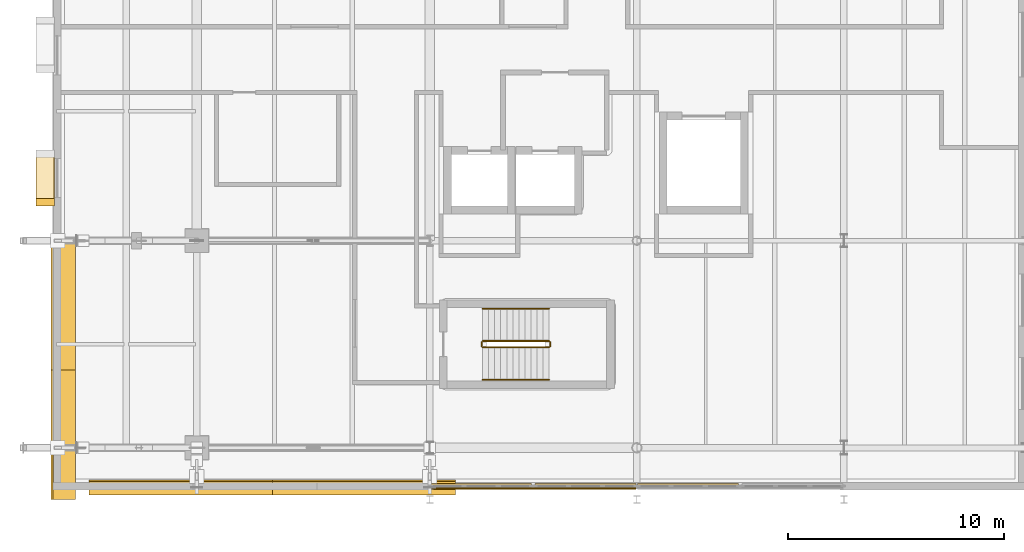
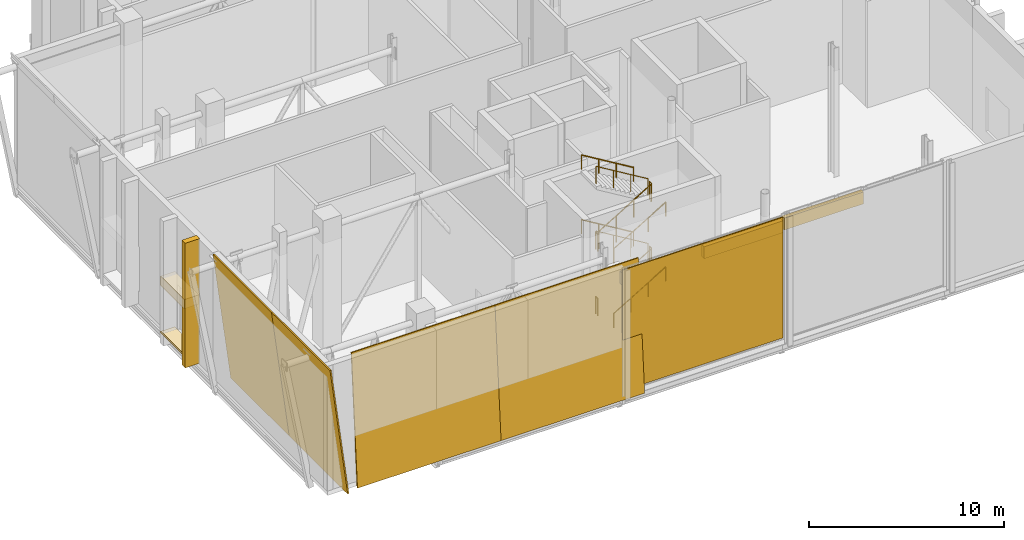
# One storey, part 64 of 79: 12 railings, 10 coverings, 1 shading device.
"""IFC4 building model written with IfcOpenShell, lengths in metres."""

from ifc_helpers import new_model, si_unit, direction, frame, origin, origin_2d, place, context, subcontext, project, spatial, polyline, rectangle, circle, outline, extrude, material, layer, layer_set, type_object, element, save


model = new_model("IFC4")

# Units and contexts
model_context = context("Model", 3, precision=1e-05, world=origin(), true_north=direction((0.0, 1.0)))
body_context = subcontext(model_context, "Body", "Model", "MODEL_VIEW")
ifc_project = project(units=[si_unit("LENGTHUNIT", "METRE"), si_unit("AREAUNIT", "SQUARE_METRE"), si_unit("VOLUMEUNIT", "CUBIC_METRE"), si_unit("PLANEANGLEUNIT", "RADIAN"), si_unit("MASSUNIT", "GRAM", prefix="KILO")], contexts=[model_context])

# Site, building, storey
site_placement = place(None, origin())
site = spatial("IfcSite", under=ifc_project, at=site_placement, CompositionType="ELEMENT")
building_placement = place(site_placement, origin())
building = spatial("IfcBuilding", under=site, at=building_placement, Name="Zereglee Splitstone Museum", CompositionType="ELEMENT")
storey_placement = place(building_placement, frame((0.0, 0.0, 9.0)))
storey = spatial("IfcBuildingStorey", under=building, at=storey_placement, Name="L02", CompositionType="ELEMENT", Elevation=9.0)

# Coverings
ifc_material_1 = material(Name="Honed Gobi pale limestone stringcourse and soffit cladding", Category="masonry")
ifc_layer_1 = layer(ifc_material_1, 0.070068359375)
ifc_layer_set_1 = layer_set([ifc_layer_1], Name="Honed Gobi pale limestone stringcourse and soffit cladding")
covering_type_1 = type_object("IfcCoveringType", Name="CL-02", PredefinedType="CLADDING", material=ifc_layer_set_1)
covering_1_placement = place(storey_placement, frame((2.574951171875, 11.389892578125, 0.0), z_axis=(0.0, 0.0, 1.0), x_axis=(0.0, -1.0, 0.0)))
element("IfcCovering", 1, at=covering_1_placement, inside=storey, type_object=covering_type_1, Name="Mughal Window Reveal Stone Pilaster L02-0082R", PredefinedType="CLADDING", context=body_context, shape_type="SweptSolid", body=[
    extrude(rectangle(XDim=0.340087890625, YDim=0.860107421875, at=origin_2d()), origin(), (0.0, 0.0, 1.0), 7.800048828125),
])
covering_2_placement = place(storey_placement, frame((2.56494140625, 12.510009765625, 0.659912109375), z_axis=(0.0, 0.0, 1.0), x_axis=(0.0, -1.0, 0.0)))
element("IfcCovering", 2, at=covering_2_placement, inside=storey, type_object=covering_type_1, Name="Carved Limestone Window Sill L02-0082", PredefinedType="CLADDING", context=body_context, shape_type="SweptSolid", body=[
    extrude(rectangle(XDim=2.43994140625, YDim=0.840087890625, at=origin_2d()), origin(), (0.0, 0.0, 1.0), 0.1201171875),
])
for number, where, z_axis, x_axis, name in (
    (3, (22.780029296875, -1.780029296875, 6.705078125), (0.0, 0.0, 1.0), (1.0, 0.0, 0.0), "Mughal Carved Clerestory Jaali Frieze RC4-CW-L02-104-1"),
    (4, (27.6201171875, -1.780029296875, 6.68505859375), (0.0, 0.0, 1.0), (1.0, 0.0, 0.0), "Mughal Carved Clerestory Jaali Frieze RC4-CW-L02-104-2"),
    (5, (32.3798828125, -1.780029296875, 6.824951171875), (0.0, 0.0, 1.0), (1.0, 0.0, 0.0), "Mughal Carved Clerestory Jaali Frieze RC4-CW-L02-105-1"),
):
    element("IfcCovering", number, at=place(storey_placement, frame(where, z_axis=z_axis, x_axis=x_axis)), inside=storey, type_object=covering_type_1, Name=name, PredefinedType="CLADDING", context=body_context, shape_type="SweptSolid", body=[
        extrude(rectangle(XDim=4.679931640625, YDim=0.239990234375, at=origin_2d()), origin(), (0.0, 0.0, 1.0), 0.75),
    ])
for number, where, z_axis, x_axis, name in (
    (6, (4.60009765625, -2.194091796875, -0.25), (0.0, -0.997045640231, 0.076811400821), (1.0, 0.0, 0.0), "Split-Rock Continuous Inclined Facet FH-V1S-W L02.1"),
    (7, (13.10009765625, -2.194091796875, -0.25), (0.0, -0.997045640231, 0.076811400821), (1.0, 0.0, 0.0), "Split-Rock Continuous Inclined Facet FH-V1S-W L02.2"),
):
    element("IfcCovering", number, at=place(storey_placement, frame(where, z_axis=z_axis, x_axis=x_axis)), inside=storey, type_object=covering_type_1, Name=name, PredefinedType="CLADDING", context=body_context, shape_type="SweptSolid", body=[
        extrude(outline(polyline([(0.0, 0.0), (8.5, 0.0), (8.5, 8.124099167990016), (0.0, 8.124099167990016), (0.0, 0.0)])), origin(), (0.0, 0.0, -1.0), 0.070068359375),
    ])
ifc_material_2 = material(Name="Honed Khoroo red sandstone ventilated rainscreen", Category="masonry")
ifc_layer_2 = layer(ifc_material_2, 0.080078125)
ifc_layer_set_2 = layer_set([ifc_layer_2], Name="Honed Khoroo red sandstone ventilated rainscreen")
covering_type_2 = type_object("IfcCoveringType", Name="CL-01", PredefinedType="CLADDING", material=ifc_layer_set_2)
covering_3_placement = place(storey_placement, frame((2.56494140625, 12.510009765625, 3.659912109375), z_axis=(0.0, 0.0, 1.0), x_axis=(0.0, -1.0, 0.0)))
element("IfcCovering", 8, at=covering_3_placement, inside=storey, type_object=covering_type_2, Name="Pointed-Arch Mughal Window Hood L02-0082", PredefinedType="CLADDING", context=body_context, shape_type="SweptSolid", body=[
    extrude(rectangle(XDim=2.43994140625, YDim=0.860107421875, at=origin_2d()), origin(), (0.0, 0.0, 1.0), 0.580078125),
])
for number, where, z_axis, x_axis, name in (
    (9, (2.850830078125, -2.39990234375, 7.85009765625), (-0.991728596857, 0.0, -0.128352600968), (0.0, 1.0, 0.0), "Split-Rock Continuous Inclined Facet FH-V1W-S L02.1"),
    (10, (2.850830078125, 3.60009765625, 7.85009765625), (-0.991728596857, 0.0, -0.128352600968), (0.0, 1.0, 0.0), "Split-Rock Continuous Inclined Facet FH-V1W-S L02.2"),
):
    element("IfcCovering", number, at=place(storey_placement, frame(where, z_axis=z_axis, x_axis=x_axis)), inside=storey, type_object=covering_type_2, Name=name, PredefinedType="CLADDING", context=body_context, shape_type="SweptSolid", body=[
        extrude(outline(polyline([(0.0, 0.0), (6.0, 0.0), (6.0, 8.167655628684434), (0.0, 8.167655628684434), (0.0, 0.0)])), origin(), (0.0, 0.0, -1.0), 0.080078125),
    ])

# Railings
ifc_material_3 = material(Name="Painted steel S355J2 post-and-baluster guard", Category="steel")
railing_type_1 = type_object("IfcRailingType", Name="GR-03", PredefinedType="BALUSTRADE", material=ifc_material_3)
railing_1_placement = place(storey_placement, frame((22.85009765625, 4.64990234375, 0.168701171875)))
element("IfcRailing", 11, at=railing_1_placement, inside=storey, type_object=railing_type_1, Name="L02 ST-01 stair guard 1", PredefinedType="BALUSTRADE", context=body_context, shape_type="SweptSolid", body=[
    extrude(circle(Radius=0.02392578125, at=origin_2d()), frame((0.0, 0.0, 1.076416015625), z_axis=(0.8564728477, 0.0, 0.51619207777), x_axis=(0.0, 1.0, 0.0)), (0.0, 0.0, 1.0), 3.595947265625),
    extrude(circle(Radius=0.02099609375, at=origin_2d()), origin(), (0.0, 0.0, 1.0), 1.052001953125),
    extrude(circle(Radius=0.02099609375, at=origin_2d()), frame((1.026611328125, 0.0, 0.61865234375)), (0.0, 0.0, 1.0), 1.052001953125),
    extrude(circle(Radius=0.02099609375, at=origin_2d()), frame((2.05322265625, 0.0, 1.237548828125)), (0.0, 0.0, 1.0), 1.052001953125),
    extrude(circle(Radius=0.02099609375, at=origin_2d()), frame((3.079833984375, 0.0, 1.856201171875)), (0.0, 0.0, 1.0), 1.052001953125),
])
railing_2_placement = place(storey_placement, frame((25.97998046875, 4.699951171875, 2.02490234375)))
element("IfcRailing", 12, at=railing_2_placement, inside=storey, type_object=railing_type_1, Name="L02 ST-01 stair guard 2", PredefinedType="BALUSTRADE", context=body_context, shape_type="SweptSolid", body=[
    extrude(circle(Radius=0.02392578125, at=origin_2d()), frame((0.0, 0.0, 1.076416015625), z_axis=(0.0, 1.0, 0.0), x_axis=(-1.0, 0.0, 0.0)), (0.0, 0.0, 1.0), 0.199951171875),
    extrude(circle(Radius=0.02099609375, at=origin_2d()), origin(), (0.0, 0.0, 1.0), 1.052001953125),
    extrude(circle(Radius=0.02099609375, at=origin_2d()), frame((0.0, 0.199951171875, 0.0)), (0.0, 0.0, 1.0), 1.052001953125),
])
railing_3_placement = place(storey_placement, frame((25.929931640625, 4.949951171875, 2.19384765625)))
element("IfcRailing", 13, at=railing_3_placement, inside=storey, type_object=railing_type_1, Name="L02 ST-01 stair guard 3", PredefinedType="BALUSTRADE", context=body_context, shape_type="SweptSolid", body=[
    extrude(circle(Radius=0.02392578125, at=origin_2d()), frame((0.0, 0.0, 1.076416015625), z_axis=(-0.8564728477, 0.0, 0.51619207777), x_axis=(0.0, -1.0, 0.0)), (0.0, 0.0, 1.0), 3.595947265625),
    extrude(circle(Radius=0.02099609375, at=origin_2d()), origin(), (0.0, 0.0, 1.0), 1.052001953125),
    extrude(circle(Radius=0.02099609375, at=origin_2d()), frame((-1.026611328125, 0.0, 0.61865234375)), (0.0, 0.0, 1.0), 1.052001953125),
    extrude(circle(Radius=0.02099609375, at=origin_2d()), frame((-2.05322265625, 0.0, 1.237548828125)), (0.0, 0.0, 1.0), 1.052001953125),
    extrude(circle(Radius=0.02099609375, at=origin_2d()), frame((-3.079833984375, 0.0, 1.856201171875)), (0.0, 0.0, 1.0), 1.052001953125),
])
railing_4_placement = place(storey_placement, frame((22.800048828125, 4.699951171875, 4.050048828125)))
element("IfcRailing", 14, at=railing_4_placement, inside=storey, type_object=railing_type_1, Name="L02 ST-01 stair guard 4", PredefinedType="BALUSTRADE", context=body_context, shape_type="SweptSolid", body=[
    extrude(circle(Radius=0.02392578125, at=origin_2d()), frame((0.0, 0.0, 1.076416015625), z_axis=(0.0, 1.0, 0.0), x_axis=(-1.0, 0.0, 0.0)), (0.0, 0.0, 1.0), 0.199951171875),
    extrude(circle(Radius=0.02099609375, at=origin_2d()), origin(), (0.0, 0.0, 1.0), 1.052001953125),
    extrude(circle(Radius=0.02099609375, at=origin_2d()), frame((0.0, 0.199951171875, 0.0)), (0.0, 0.0, 1.0), 1.052001953125),
])
railing_5_placement = place(storey_placement, frame((22.85009765625, 4.64990234375, 4.21875)))
element("IfcRailing", 15, at=railing_5_placement, inside=storey, type_object=railing_type_1, Name="L02 ST-01 stair guard 5", PredefinedType="BALUSTRADE", context=body_context, shape_type="SweptSolid", body=[
    extrude(circle(Radius=0.02392578125, at=origin_2d()), frame((0.0, 0.0, 1.076416015625), z_axis=(0.8564728477, 0.0, 0.51619207777), x_axis=(0.0, 1.0, 0.0)), (0.0, 0.0, 1.0), 3.595947265625),
    extrude(circle(Radius=0.02099609375, at=origin_2d()), origin(), (0.0, 0.0, 1.0), 1.052001953125),
    extrude(circle(Radius=0.02099609375, at=origin_2d()), frame((1.026611328125, 0.0, 0.61865234375)), (0.0, 0.0, 1.0), 1.052001953125),
    extrude(circle(Radius=0.02099609375, at=origin_2d()), frame((2.05322265625, 0.0, 1.237548828125)), (0.0, 0.0, 1.0), 1.052001953125),
    extrude(circle(Radius=0.02099609375, at=origin_2d()), frame((3.079833984375, 0.0, 1.856201171875)), (0.0, 0.0, 1.0), 1.052001953125),
])
railing_6_placement = place(storey_placement, frame((25.97998046875, 4.699951171875, 6.074951171875)))
element("IfcRailing", 16, at=railing_6_placement, inside=storey, type_object=railing_type_1, Name="L02 ST-01 stair guard 6", PredefinedType="BALUSTRADE", context=body_context, shape_type="SweptSolid", body=[
    extrude(circle(Radius=0.02392578125, at=origin_2d()), frame((0.0, 0.0, 1.076416015625), z_axis=(0.0, 1.0, 0.0), x_axis=(-1.0, 0.0, 0.0)), (0.0, 0.0, 1.0), 0.199951171875),
    extrude(circle(Radius=0.02099609375, at=origin_2d()), origin(), (0.0, 0.0, 1.0), 1.052001953125),
    extrude(circle(Radius=0.02099609375, at=origin_2d()), frame((0.0, 0.199951171875, 0.0)), (0.0, 0.0, 1.0), 1.052001953125),
])
railing_7_placement = place(storey_placement, frame((25.929931640625, 4.949951171875, 6.24365234375)))
element("IfcRailing", 17, at=railing_7_placement, inside=storey, type_object=railing_type_1, Name="L02 ST-01 stair guard 7", PredefinedType="BALUSTRADE", context=body_context, shape_type="SweptSolid", body=[
    extrude(circle(Radius=0.02392578125, at=origin_2d()), frame((0.0, 0.0, 1.076416015625), z_axis=(-0.856442831411, 0.0, 0.516241877927), x_axis=(0.0, -1.0, 0.0)), (0.0, 0.0, 1.0), 3.59619140625),
    extrude(circle(Radius=0.02099609375, at=origin_2d()), origin(), (0.0, 0.0, 1.0), 1.052001953125),
    extrude(circle(Radius=0.02099609375, at=origin_2d()), frame((-1.026611328125, 0.0, 0.618896484375)), (0.0, 0.0, 1.0), 1.052001953125),
    extrude(circle(Radius=0.02099609375, at=origin_2d()), frame((-2.05322265625, 0.0, 1.237548828125)), (0.0, 0.0, 1.0), 1.052001953125),
    extrude(circle(Radius=0.02099609375, at=origin_2d()), frame((-3.079833984375, 0.0, 1.8564453125)), (0.0, 0.0, 1.0), 1.052001953125),
])
railing_8_placement = place(storey_placement, frame((22.800048828125, 4.699951171875, 0.0)))
element("IfcRailing", 18, at=railing_8_placement, inside=storey, type_object=railing_type_1, Name="L02 ST-01 stair guard 8", PredefinedType="BALUSTRADE", context=body_context, shape_type="SweptSolid", body=[
    extrude(circle(Radius=0.02392578125, at=origin_2d()), frame((0.0, 0.0, 1.076416015625), z_axis=(0.0, 1.0, 0.0), x_axis=(-1.0, 0.0, 0.0)), (0.0, 0.0, 1.0), 0.199951171875),
    extrude(circle(Radius=0.02099609375, at=origin_2d()), origin(), (0.0, 0.0, 1.0), 1.052001953125),
    extrude(circle(Radius=0.02099609375, at=origin_2d()), frame((0.0, 0.199951171875, 0.0)), (0.0, 0.0, 1.0), 1.052001953125),
])
ifc_material_4 = material(Name="Architectural bronze tubular handrail", Category="steel")
railing_type_2 = type_object("IfcRailingType", Name="HR-01", PredefinedType="HANDRAIL", material=ifc_material_4)
railing_9_placement = place(storey_placement, frame((22.85009765625, 3.14990234375, 0.168701171875)))
element("IfcRailing", 19, at=railing_9_placement, inside=storey, type_object=railing_type_2, Name="L02 ST-01 stair handrail 1", PredefinedType="HANDRAIL", context=body_context, shape_type="SweptSolid", body=[
    extrude(circle(Radius=0.02392578125, at=origin_2d()), frame((0.0, 0.0, 0.8759765625), z_axis=(0.8564728477, 0.0, 0.51619207777), x_axis=(0.0, 1.0, 0.0)), (0.0, 0.0, 1.0), 3.595947265625),
    extrude(circle(Radius=0.02099609375, at=origin_2d()), origin(), (0.0, 0.0, 1.0), 0.851806640625),
    extrude(circle(Radius=0.02099609375, at=origin_2d()), frame((1.026611328125, 0.0, 0.61865234375)), (0.0, 0.0, 1.0), 0.851806640625),
    extrude(circle(Radius=0.02099609375, at=origin_2d()), frame((2.05322265625, 0.0, 1.237548828125)), (0.0, 0.0, 1.0), 0.851806640625),
    extrude(circle(Radius=0.02099609375, at=origin_2d()), frame((3.079833984375, 0.0, 1.856201171875)), (0.0, 0.0, 1.0), 0.851806640625),
])
railing_10_placement = place(storey_placement, frame((25.929931640625, 6.449951171875, 2.19384765625)))
element("IfcRailing", 20, at=railing_10_placement, inside=storey, type_object=railing_type_2, Name="L02 ST-01 stair handrail 2", PredefinedType="HANDRAIL", context=body_context, shape_type="SweptSolid", body=[
    extrude(circle(Radius=0.02392578125, at=origin_2d()), frame((0.0, 0.0, 0.8759765625), z_axis=(-0.8564728477, 0.0, 0.51619207777), x_axis=(0.0, -1.0, 0.0)), (0.0, 0.0, 1.0), 3.595947265625),
    extrude(circle(Radius=0.02099609375, at=origin_2d()), origin(), (0.0, 0.0, 1.0), 0.851806640625),
    extrude(circle(Radius=0.02099609375, at=origin_2d()), frame((-1.026611328125, 0.0, 0.61865234375)), (0.0, 0.0, 1.0), 0.851806640625),
    extrude(circle(Radius=0.02099609375, at=origin_2d()), frame((-2.05322265625, 0.0, 1.237548828125)), (0.0, 0.0, 1.0), 0.851806640625),
    extrude(circle(Radius=0.02099609375, at=origin_2d()), frame((-3.079833984375, 0.0, 1.856201171875)), (0.0, 0.0, 1.0), 0.851806640625),
])
railing_11_placement = place(storey_placement, frame((22.85009765625, 3.14990234375, 4.21875)))
element("IfcRailing", 21, at=railing_11_placement, inside=storey, type_object=railing_type_2, Name="L02 ST-01 stair handrail 3", PredefinedType="HANDRAIL", context=body_context, shape_type="SweptSolid", body=[
    extrude(circle(Radius=0.02392578125, at=origin_2d()), frame((0.0, 0.0, 0.8759765625), z_axis=(0.8564728477, 0.0, 0.51619207777), x_axis=(0.0, 1.0, 0.0)), (0.0, 0.0, 1.0), 3.595947265625),
    extrude(circle(Radius=0.02099609375, at=origin_2d()), origin(), (0.0, 0.0, 1.0), 0.851806640625),
    extrude(circle(Radius=0.02099609375, at=origin_2d()), frame((1.026611328125, 0.0, 0.61865234375)), (0.0, 0.0, 1.0), 0.851806640625),
    extrude(circle(Radius=0.02099609375, at=origin_2d()), frame((2.05322265625, 0.0, 1.237548828125)), (0.0, 0.0, 1.0), 0.851806640625),
    extrude(circle(Radius=0.02099609375, at=origin_2d()), frame((3.079833984375, 0.0, 1.856201171875)), (0.0, 0.0, 1.0), 0.851806640625),
])
railing_12_placement = place(storey_placement, frame((25.929931640625, 6.449951171875, 6.24365234375)))
element("IfcRailing", 22, at=railing_12_placement, inside=storey, type_object=railing_type_2, Name="L02 ST-01 stair handrail 4", PredefinedType="HANDRAIL", context=body_context, shape_type="SweptSolid", body=[
    extrude(circle(Radius=0.02392578125, at=origin_2d()), frame((0.0, 0.0, 0.8759765625), z_axis=(-0.856442831411, 0.0, 0.516241877927), x_axis=(0.0, -1.0, 0.0)), (0.0, 0.0, 1.0), 3.59619140625),
    extrude(circle(Radius=0.02099609375, at=origin_2d()), origin(), (0.0, 0.0, 1.0), 0.851806640625),
    extrude(circle(Radius=0.02099609375, at=origin_2d()), frame((-1.026611328125, 0.0, 0.618896484375)), (0.0, 0.0, 1.0), 0.851806640625),
    extrude(circle(Radius=0.02099609375, at=origin_2d()), frame((-2.05322265625, 0.0, 1.237548828125)), (0.0, 0.0, 1.0), 0.851806640625),
    extrude(circle(Radius=0.02099609375, at=origin_2d()), frame((-3.079833984375, 0.0, 1.8564453125)), (0.0, 0.0, 1.0), 0.851806640625),
])

# Shading device
ifc_material_5 = material(Name="Patinated architectural bronze CuSn8 geometric jali screen")
ifc_layer_3 = layer(ifc_material_5, 0.06005859375)
ifc_layer_set_3 = layer_set([ifc_layer_3], Name="Patinated architectural bronze CuSn8 geometric jali screen")
shading_device_type = type_object("IfcShadingDeviceType", Name="JL-01", PredefinedType="USERDEFINED", material=ifc_layer_set_3)
shading_device_placement = place(storey_placement, frame((20.449951171875, -1.860107421875, 0.1201171875), z_axis=(0.0, -1.0, 0.0), x_axis=(1.0, 0.0, 0.0)))
element("IfcShadingDevice", 23, at=shading_device_placement, inside=storey, type_object=shading_device_type, Name="Bronze Mughal Jali Screen 21", ObjectType="SCREEN", PredefinedType="USERDEFINED", context=body_context, shape_type="SweptSolid", body=[
    extrude(outline(polyline([(0.0, 0.0), (9.5, 0.0), (9.5, 7.559814453125), (0.0, 7.559814453125), (0.0, 0.0)])), origin(), (0.0, 0.0, 1.0), 0.06005859375),
])

save(model, "model.ifc")
